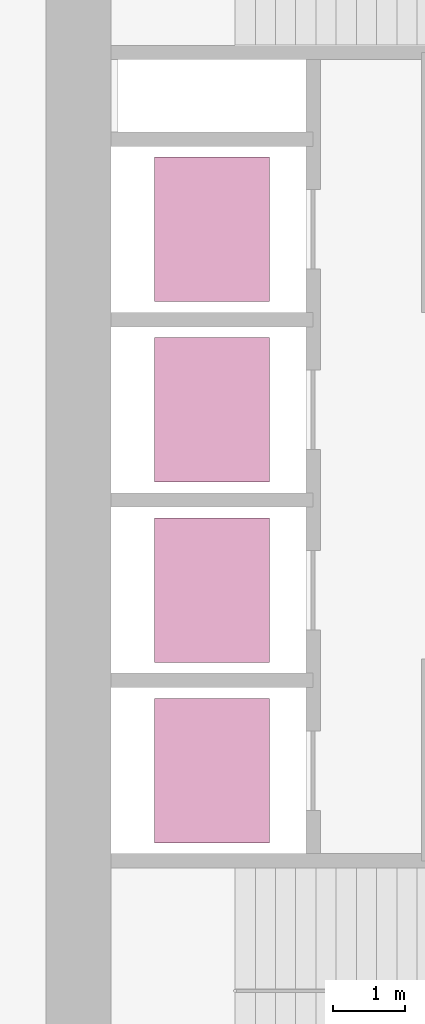
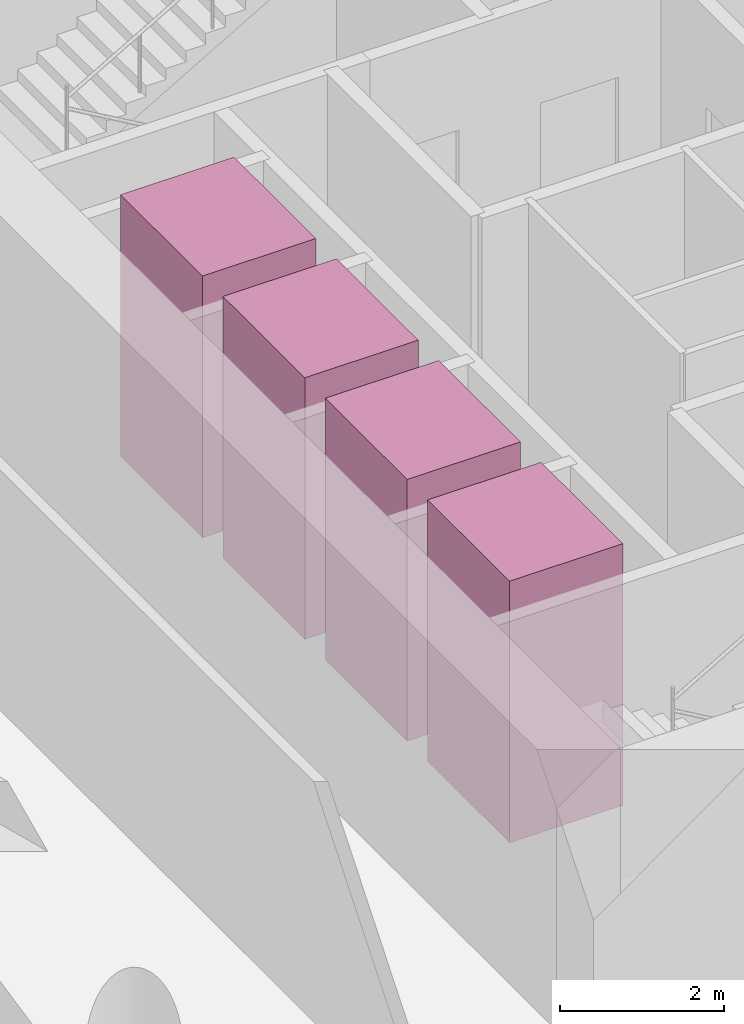
# One storey, part 10 of 10: 4 transport elements.
"""IFC4 building model written with IfcOpenShell, lengths in metres."""

import ifcopenshell
import ifcopenshell.guid

model = None  # the IFC model being written
_history = None  # IfcOwnerHistory: only IFC2X3 demands one
_inside = {}  # id of a spatial element -> (the spatial element, [elements in it])
_under = {}  # id of a project, library or spatial element -> (it, [spatial elements below it])
_declared = {}  # id of a project -> (the project, [libraries it declares])
_typed = {}  # id of a type object -> (the type object, [elements of that type])
_made_of = {}  # id of a material, layer set ... -> (it, [elements and type objects made of it])


def new_model(schema):
    """Start an empty IFC model of exactly this schema.

    Asked for "IFC4X3", IfcOpenShell would pick the latest addendum, in which some entities
    have other attributes; the version numbers below select the first issue.
    IFC2X3 requires an IfcOwnerHistory on every rooted entity: one is made here for all.
    """
    global model, _history
    if schema == "IFC4X3":
        model = ifcopenshell.file(schema_version=(4, 3, 0, 0))
    else:
        model = ifcopenshell.file(schema=schema)
    _inside.clear()
    _under.clear()
    _declared.clear()
    _typed.clear()
    _made_of.clear()
    _history = None
    if model.schema == "IFC2X3":
        org = make("IfcOrganization", Name="unknown")
        user = make(
            "IfcPersonAndOrganization",
            ThePerson=make("IfcPerson", FamilyName="unknown"),
            TheOrganization=org,
        )
        app = make(
            "IfcApplication",
            ApplicationDeveloper=org,
            Version="unknown",
            ApplicationFullName="unknown",
            ApplicationIdentifier="unknown",
        )
        _history = make(
            "IfcOwnerHistory",
            OwningUser=user,
            OwningApplication=app,
            ChangeAction="ADDED",
            CreationDate=0,
        )
    return model


def make(cls, **values):
    """One entity of the class cls with the attributes given. An attribute that is None is left unset."""
    return model.create_entity(
        cls, **{name: value for name, value in values.items() if value is not None}
    )


def rooted(cls, **values):
    """An entity with a GlobalId (a new one), such as an element, a storey or a relation."""
    return make(cls, GlobalId=ifcopenshell.guid.new(), OwnerHistory=_history, **values)


def si_unit(unit_type, name, prefix=None):
    """IfcSIUnit, for example si_unit("LENGTHUNIT", "METRE", prefix="MILLI")."""
    return make("IfcSIUnit", UnitType=unit_type, Prefix=prefix, Name=name)


def assignment(units):
    """IfcUnitAssignment: the units of a project."""
    return None if units is None else make("IfcUnitAssignment", Units=units)


def point(xyz):
    """IfcCartesianPoint."""
    return None if xyz is None else make("IfcCartesianPoint", Coordinates=xyz)


def direction(xyz):
    """IfcDirection."""
    return None if xyz is None else make("IfcDirection", DirectionRatios=xyz)


def frame(location, z_axis=None, x_axis=None):
    """IfcAxis2Placement3D, a coordinate frame: its origin and axes. An axis left out is left unset."""
    return make(
        "IfcAxis2Placement3D",
        Location=point(location),
        Axis=direction(z_axis),
        RefDirection=direction(x_axis),
    )


def frame_2d(location, x_axis=None):
    """IfcAxis2Placement2D, a coordinate frame in the plane: its origin and x axis."""
    return make(
        "IfcAxis2Placement2D", Location=point(location), RefDirection=direction(x_axis)
    )


def origin():
    """The frame at (0, 0, 0) with its axes left unset."""
    return frame((0.0, 0.0, 0.0))


def origin_2d():
    """The frame at (0, 0) in the plane with its x axis left unset."""
    return frame_2d((0.0, 0.0))


def place(relative_to, where):
    """IfcLocalPlacement: puts the frame where relative to a parent placement (None: the world)."""
    return make(
        "IfcLocalPlacement", PlacementRelTo=relative_to, RelativePlacement=where
    )


def context(
    kind, dimensions, precision=None, world=None, true_north=None, identifier=None
):
    """IfcGeometricRepresentationContext, for example the 3D "Model" context."""
    return make(
        "IfcGeometricRepresentationContext",
        ContextIdentifier=identifier,
        ContextType=kind,
        CoordinateSpaceDimension=dimensions,
        Precision=precision,
        WorldCoordinateSystem=world,
        TrueNorth=true_north,
    )


def subcontext(parent, identifier, kind, view, scale=None):
    """IfcGeometricRepresentationSubContext, for example "Body" below "Model"."""
    return make(
        "IfcGeometricRepresentationSubContext",
        ContextIdentifier=identifier,
        ContextType=kind,
        ParentContext=parent,
        TargetScale=scale,
        TargetView=view,
    )


def project(units=None, contexts=None):
    """IfcProject with its units and contexts."""
    return rooted(
        "IfcProject",
        Name="project",
        RepresentationContexts=contexts,
        UnitsInContext=assignment(units),
    )


def spatial(cls, under=None, at=None, **own):
    """A site, building, storey or space (cls), placed at a placement, below another one or the project."""
    s = rooted(cls, ObjectPlacement=at, **own)
    if under is not None:
        _under.setdefault(under.id(), (under, []))[1].append(s)
    return s


def profile(cls, at=None, kind="AREA", **sizes):
    """A parametric profile (cls). Its sizes go by their IFC names, for example OverallWidth=200.0."""
    return make(cls, ProfileType=kind, Position=at, **sizes)


def rectangle(**sizes):
    """IfcRectangleProfileDef."""
    return profile("IfcRectangleProfileDef", **sizes)


def extrude(swept, where, along, depth):
    """IfcExtrudedAreaSolid: the profile swept, set in the frame where, extruded along a direction by depth."""
    return make(
        "IfcExtrudedAreaSolid",
        SweptArea=swept,
        Position=where,
        ExtrudedDirection=direction(along),
        Depth=depth,
    )


def shape(context_of_items, identifier, shape_type, items):
    """IfcShapeRepresentation: the items that make up one representation, for example the "Body"."""
    return make(
        "IfcShapeRepresentation",
        ContextOfItems=context_of_items,
        RepresentationIdentifier=identifier,
        RepresentationType=shape_type,
        Items=items,
    )


def material(Name=None, Category=None):
    """IfcMaterial."""
    return make("IfcMaterial", Name=Name, Category=Category)


def made_of(thing, what):
    """Note that an element or type object is made of a material, layer set ...; save() writes the relation."""
    if what is not None:
        _made_of.setdefault(what.id(), (what, []))[1].append(thing)
    return thing


def type_object(cls, material=None, **own):
    """A type object (cls), such as IfcWallType, which elements share."""
    return made_of(rooted(cls, **own), material)


def element(
    cls,
    number,
    at=None,
    inside=None,
    cuts=None,
    type_object=None,
    material=None,
    context=None,
    identifier="Body",
    shape_type=None,
    held_by="IfcProductDefinitionShape",
    body=None,
    shapes=None,
    **own,
):
    """One element of the class cls, such as IfcWall. Its Tag is "e" and its number.

    at: its placement. inside: the storey or other place that contains it. cuts: it is an
    opening in that element (IfcRelVoidsElement). A single representation is given by context,
    identifier, shape_type and body (its items); several are given by shapes. held_by: the class
    of the entity that holds the representations. save() writes the other relations.
    """
    e = rooted(cls, Tag="e%d" % number, ObjectPlacement=at, **own)
    if body is not None:
        shapes = [shape(context, identifier, shape_type, body)]
    if shapes is not None:
        e.Representation = make(held_by, Representations=shapes)
    if inside is not None:
        _inside.setdefault(inside.id(), (inside, []))[1].append(e)
    if cuts is not None:
        rooted(
            "IfcRelVoidsElement", RelatingBuildingElement=cuts, RelatedOpeningElement=e
        )
    if type_object is not None:
        _typed.setdefault(type_object.id(), (type_object, []))[1].append(e)
    return made_of(e, material)


def aggregate(whole, parts):
    """IfcRelAggregates: a whole, such as a stair, and the parts it consists of."""
    return rooted("IfcRelAggregates", RelatingObject=whole, RelatedObjects=parts)


def save(model, path):
    """Write the relations noted so far, then the file.

    IfcRelAggregates (storeys below a building ...), IfcRelContainedInSpatialStructure (elements
    in a storey), IfcRelDefinesByType, IfcRelAssociatesMaterial and IfcRelDeclares: one each for
    every whole, place, type object, material and project.
    """
    for whole, parts in _under.values():
        aggregate(whole, parts)
    for where, things in _inside.values():
        rooted(
            "IfcRelContainedInSpatialStructure",
            RelatedElements=things,
            RelatingStructure=where,
        )
    for kind, things in _typed.values():
        rooted("IfcRelDefinesByType", RelatedObjects=things, RelatingType=kind)
    for what, things in _made_of.values():
        rooted("IfcRelAssociatesMaterial", RelatedObjects=things, RelatingMaterial=what)
    for by, libraries in _declared.values():
        rooted("IfcRelDeclares", RelatingContext=by, RelatedDefinitions=libraries)
    model.write(path)


model = new_model("IFC4")

# Units and contexts
model_context = context("Model", 3, precision=1e-05, world=origin(), true_north=direction((0.0, 1.0)))
body_context = subcontext(model_context, "Body", "Model", "MODEL_VIEW")
ifc_project = project(units=[si_unit("LENGTHUNIT", "METRE"), si_unit("AREAUNIT", "SQUARE_METRE"), si_unit("VOLUMEUNIT", "CUBIC_METRE"), si_unit("PLANEANGLEUNIT", "RADIAN"), si_unit("MASSUNIT", "GRAM", prefix="KILO")], contexts=[model_context])

# Site, building, storey
site_placement = place(None, origin())
site = spatial("IfcSite", under=ifc_project, at=site_placement, CompositionType="ELEMENT")
building_placement = place(site_placement, origin())
building = spatial("IfcBuilding", under=site, at=building_placement, Name="Qaws Garden Tower", CompositionType="ELEMENT")
storey_placement = place(building_placement, frame((0.0, 0.0, 39.300048828125)))
storey = spatial("IfcBuildingStorey", under=building, at=storey_placement, Name="L09", CompositionType="ELEMENT", Elevation=39.300048828125)

# Transport elements
ifc_material = material(Name="Stainless steel 316", Category="steel")
transport_element_type = type_object("IfcTransportElementType", Name="Passenger lift car 2000x1600 1800 kg", PredefinedType="ELEVATOR", material=ifc_material)
for number, where, z_axis, x_axis, name in (
    (1, (10.300048828125, 13.64990234375, 0.0), (0.0, 0.0, 1.0), (1.0, 0.0, 0.0), "LR1"),
    (2, (10.300048828125, 16.14990234375, 0.0), (0.0, 0.0, 1.0), (1.0, 0.0, 0.0), "LR2"),
    (3, (10.300048828125, 18.64990234375, 0.0), (0.0, 0.0, 1.0), (1.0, 0.0, 0.0), "LR3"),
    (4, (10.300048828125, 21.14990234375, 0.0), (0.0, 0.0, 1.0), (1.0, 0.0, 0.0), "LR4"),
):
    element("IfcTransportElement", number, at=place(storey_placement, frame(where, z_axis=z_axis, x_axis=x_axis)), inside=storey, type_object=transport_element_type, Name=name, PredefinedType="ELEVATOR", context=body_context, shape_type="SweptSolid", body=[
        extrude(rectangle(XDim=1.60009765625, YDim=2.0, at=origin_2d()), origin(), (0.0, 0.0, 1.0), 3.89990234375),
    ])

save(model, "model.ifc")
